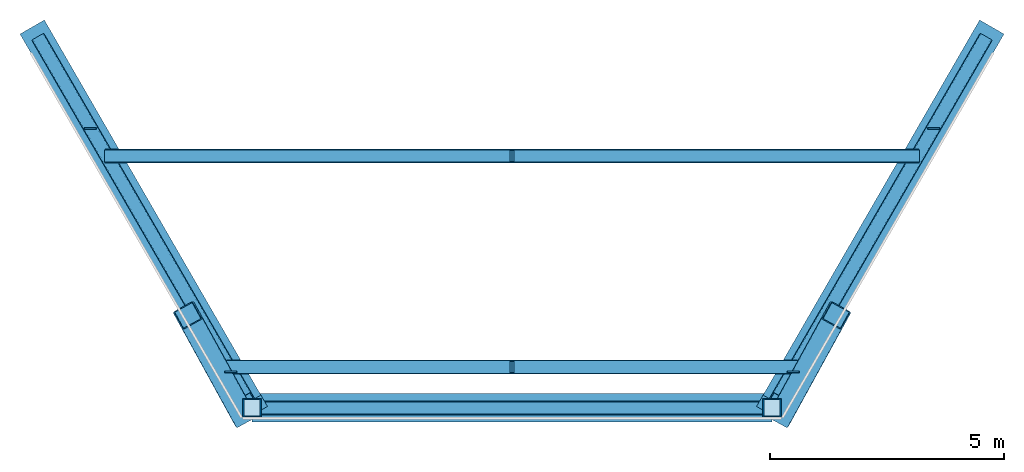
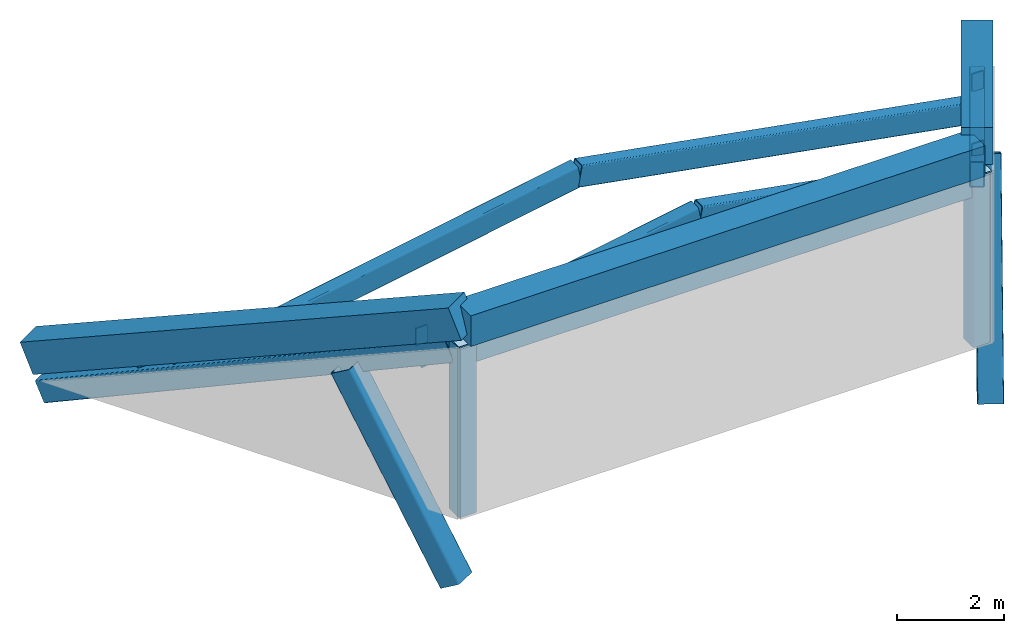
# One storey, part 1 of 2: 9 members, 6 plates, 3 beams, 2 columns.
"""IFC4 building model written with IfcOpenShell, lengths in metres."""

from ifc_helpers import new_model, si_unit, direction, frame, origin, origin_2d, place, context, subcontext, project, spatial, polyline, rectangle, hollow_rectangle, outline, extrude, material, layer, layer_set, material_profile, profile_set, type_object, element, save


model = new_model("IFC4")

# Units and contexts
model_context = context("Model", 3, precision=1e-05, world=origin(), true_north=direction((0.0, 1.0)))
body_context = subcontext(model_context, "Body", "Model", "MODEL_VIEW")
ifc_project = project(units=[si_unit("LENGTHUNIT", "METRE"), si_unit("AREAUNIT", "SQUARE_METRE"), si_unit("VOLUMEUNIT", "CUBIC_METRE"), si_unit("PLANEANGLEUNIT", "RADIAN"), si_unit("MASSUNIT", "GRAM", prefix="KILO")], contexts=[model_context])

# Site, building, storey
site_placement = place(None, origin())
site = spatial("IfcSite", under=ifc_project, at=site_placement, CompositionType="ELEMENT")
building_placement = place(site_placement, origin())
building = spatial("IfcBuilding", under=site, at=building_placement, Name="Aloe Facet Convention Tower", CompositionType="ELEMENT")
storey_placement = place(building_placement, frame((0.0, 0.0, 302.300048828125)))
storey = spatial("IfcBuildingStorey", under=building, at=storey_placement, Name="C5", CompositionType="ELEMENT", Elevation=302.300048828125)

# Columns
ifc_material_1 = material(Name="Steel S355, bronze oxide finish", Category="steel")
ifc_material_profile_1 = material_profile(ifc_material_1, hollow_rectangle(XDim=0.39990234375, YDim=0.39990234375, WallThickness=0.02490234375, InnerFilletRadius=0.02490234375, OuterFilletRadius=0.050048828125, at=origin_2d()), Name="SHS 400x400x25")
ifc_profile_set_1 = profile_set([ifc_material_profile_1], Name="Steel S355, bronze oxide finish")
column_type = type_object("IfcColumnType", Name="STW-CROWN FRAME POST", PredefinedType="COLUMN", material=ifc_profile_set_1)
for number, where, z_axis, x_axis, name in (
    (1, (74.45166015625, 109.180419921875, 0.0), (0.0, 0.0, 1.0), (1.0, 0.0, 0.0), "Crown frame post CF-P-WSW4-C5"),
    (2, (85.54833984375, 109.180419921875, 0.0), (0.0, 0.0, 1.0), (1.0, 0.0, 0.0), "Crown frame post CF-P-ESE2-C5"),
):
    element("IfcColumn", number, at=place(storey_placement, frame(where, z_axis=z_axis, x_axis=x_axis)), inside=storey, type_object=column_type, Name=name, PredefinedType="COLUMN", context=body_context, shape_type="SweptSolid", body=[
        extrude(hollow_rectangle(XDim=0.39990234375, YDim=0.39990234375, WallThickness=0.02490234375, InnerFilletRadius=0.02490234375, OuterFilletRadius=0.050048828125, at=origin_2d()), origin(), (0.0, 0.0, 1.0), 3.8759765625),
    ])

# Members
ifc_material_2 = material(Name="Steel S355, bronze oxide finish", Category="steel")
ifc_material_profile_2 = material_profile(ifc_material_2, hollow_rectangle(XDim=0.5, YDim=0.5, WallThickness=0.02490234375, InnerFilletRadius=0.02490234375, OuterFilletRadius=0.050048828125, at=origin_2d()), Name="SHS 500x500x25")
ifc_profile_set_2 = profile_set([ifc_material_profile_2], Name="Steel S355, bronze oxide finish")
member_type_1 = type_object("IfcMemberType", Name="STW-CROWN FRAME BRACE", PredefinedType="BRACE", material=ifc_profile_set_2)
for number, where, z_axis, x_axis, name in (
    (3, (74.235107421875, 109.055419921875, -1.449951171875), (-0.245644149327, 0.446800743543, 0.860248828811), (-0.876295616426, -0.4817737982, 0.0), "Crown frame brace CF-B-B08-N6"),
    (4, (85.764892578125, 109.055419921875, -1.449951171875), (0.245644149327, 0.446800743543, 0.860248828811), (-0.876295616426, 0.4817737982, 0.0), "Crown frame brace CF-B-B10-N5"),
):
    element("IfcMember", number, at=place(storey_placement, frame(where, z_axis=z_axis, x_axis=x_axis)), inside=storey, type_object=member_type_1, Name=name, PredefinedType="BRACE", context=body_context, shape_type="SweptSolid", body=[
        extrude(hollow_rectangle(XDim=0.5, YDim=0.5, WallThickness=0.02490234375, InnerFilletRadius=0.02490234375, OuterFilletRadius=0.050048828125, at=origin_2d()), origin(), (0.0, 0.0, 1.0), 4.692138671875),
    ])

# Beams
ifc_material_3 = material(Name="Steel S355, bronze oxide finish", Category="steel")
ifc_material_profile_3 = material_profile(ifc_material_3, hollow_rectangle(XDim=0.300048828125, YDim=0.5, WallThickness=0.02001953125, InnerFilletRadius=0.02001953125, OuterFilletRadius=0.0400390625, at=origin_2d()), Name="RHS 500x300x20")
ifc_profile_set_3 = profile_set([ifc_material_profile_3], Name="Steel S355, bronze oxide finish")
beam_type = type_object("IfcBeamType", Name="STW-CROWN FRAME CAP", PredefinedType="BEAM", material=ifc_profile_set_3)
beam_1_placement = place(storey_placement, frame((69.93017578125, 117.011962890625, -0.391357421875), z_axis=(0.455219068557, -0.78847662852, 0.41361843032), x_axis=(0.866029268111, 0.49999330673, 0.0)))
element("IfcBeam", 5, at=beam_1_placement, inside=storey, type_object=beam_type, Name="Crown frame cap CF-C-B08", PredefinedType="BEAM", context=body_context, shape_type="SweptSolid", body=[
    extrude(hollow_rectangle(XDim=0.300048828125, YDim=0.5, WallThickness=0.02001953125, InnerFilletRadius=0.02001953125, OuterFilletRadius=0.0400390625, at=origin_2d()), origin(), (0.0, 0.0, 1.0), 9.712646484375),
])
beam_2_placement = place(storey_placement, frame((74.651611328125, 109.180419921875, 3.6259765625), z_axis=(1.0, 0.0, 0.0), x_axis=(0.0, 1.0, 0.0)))
element("IfcBeam", 6, at=beam_2_placement, inside=storey, type_object=beam_type, Name="Crown frame cap CF-C-B09", PredefinedType="BEAM", context=body_context, shape_type="SweptSolid", body=[
    extrude(hollow_rectangle(XDim=0.300048828125, YDim=0.5, WallThickness=0.02001953125, InnerFilletRadius=0.02001953125, OuterFilletRadius=0.0400390625, at=origin_2d()), origin(), (0.0, 0.0, 1.0), 10.69677734375),
])
beam_3_placement = place(storey_placement, frame((85.6484375, 109.353759765625, 3.6259765625), z_axis=(0.455219068557, 0.78847662852, -0.41361843032), x_axis=(-0.866029268111, 0.49999330673, 0.0)))
element("IfcBeam", 7, at=beam_3_placement, inside=storey, type_object=beam_type, Name="Crown frame cap CF-C-B10", PredefinedType="BEAM", context=body_context, shape_type="SweptSolid", body=[
    extrude(hollow_rectangle(XDim=0.300048828125, YDim=0.5, WallThickness=0.02001953125, InnerFilletRadius=0.02001953125, OuterFilletRadius=0.0400390625, at=origin_2d()), origin(), (0.0, 0.0, 1.0), 9.712646484375),
])

# Members
ifc_material_4 = material(Name="Steel S355", Category="steel")
ifc_material_profile_4 = material_profile(ifc_material_4, hollow_rectangle(XDim=0.300048828125, YDim=0.5, WallThickness=0.02001953125, InnerFilletRadius=0.02001953125, OuterFilletRadius=0.0400390625, at=origin_2d()), Name="RHS 500x300x20")
ifc_profile_set_4 = profile_set([ifc_material_profile_4], Name="Steel S355")
member_type_2 = type_object("IfcMemberType", Name="STW-CROWN FRAME RAFTER", PredefinedType="RAFTER", material=ifc_profile_set_4)
for number, where, z_axis, x_axis, name in (
    (8, (80.0, 114.550048828125, 2.488037109375), (-0.984180029904, 0.0, -0.177171297727), (0.0, -1.0, 0.0), "Crown frame rafter CF-RF-W09"),
    (9, (80.0, 114.550048828125, 2.488037109375), (0.984180029904, 0.0, -0.177171297727), (0.0, 1.0, 0.0), "Crown frame rafter CF-RF-E10"),
):
    element("IfcMember", number, at=place(storey_placement, frame(where, z_axis=z_axis, x_axis=x_axis)), inside=storey, type_object=member_type_2, Name=name, PredefinedType="RAFTER", context=body_context, shape_type="SweptSolid", body=[
        extrude(hollow_rectangle(XDim=0.300048828125, YDim=0.5, WallThickness=0.02001953125, InnerFilletRadius=0.02001953125, OuterFilletRadius=0.0400390625, at=origin_2d()), origin(), (0.0, 0.0, 1.0), 8.787353515625),
    ])
for number, where, z_axis, x_axis, name in (
    (10, (80.0, 110.050048828125, 4.27880859375), (-0.984181662146, 0.0, -0.177162230443), (0.0, -1.0, 0.0), "Crown frame rafter CF-RF-W11"),
    (11, (80.0, 110.050048828125, 4.27880859375), (0.984181662146, 0.0, -0.177162230443), (0.0, 1.0, 0.0), "Crown frame rafter CF-RF-E12"),
):
    element("IfcMember", number, at=place(storey_placement, frame(where, z_axis=z_axis, x_axis=x_axis)), inside=storey, type_object=member_type_2, Name=name, PredefinedType="RAFTER", context=body_context, shape_type="SweptSolid", body=[
        extrude(hollow_rectangle(XDim=0.300048828125, YDim=0.5, WallThickness=0.02001953125, InnerFilletRadius=0.02001953125, OuterFilletRadius=0.0400390625, at=origin_2d()), origin(), (0.0, 0.0, 1.0), 6.1474609375),
    ])
ifc_material_5 = material(Name="Precast concrete C40/50", Category="concrete")
ifc_material_profile_5 = material_profile(ifc_material_5, rectangle(XDim=0.60009765625, YDim=0.699951171875, at=origin_2d()), Name="STW-CROWN STONE CAP")
ifc_profile_set_5 = profile_set([ifc_material_profile_5], Name="Precast concrete C40/50")
member_type_3 = type_object("IfcMemberType", Name="STW-CROWN STONE CAP", PredefinedType="MEMBER", material=ifc_profile_set_5)
member_1_placement = place(storey_placement, frame((69.830078125, 117.185302734375, 0.400634765625), z_axis=(0.458558565239, -0.794253472639, 0.398604394665), x_axis=(0.866027240882, 0.49999681804, 0.0)))
element("IfcMember", 12, at=member_1_placement, inside=storey, type_object=member_type_3, Name="Crown stone cap CF-SC-B08", PredefinedType="MEMBER", context=body_context, shape_type="SweptSolid", body=[
    extrude(rectangle(XDim=0.60009765625, YDim=0.699951171875, at=origin_2d()), origin(), (0.0, 0.0, 1.0), 10.07861328125),
])
member_2_placement = place(storey_placement, frame((74.45166015625, 109.180419921875, 4.256103515625), z_axis=(1.0, 0.0, 0.0), x_axis=(0.0, 1.0, 0.0)))
element("IfcMember", 13, at=member_2_placement, inside=storey, type_object=member_type_3, Name="Crown stone cap CF-SC-B09", PredefinedType="MEMBER", context=body_context, shape_type="SweptSolid", body=[
    extrude(rectangle(XDim=0.60009765625, YDim=0.699951171875, at=origin_2d()), origin(), (0.0, 0.0, 1.0), 11.0966796875),
])
member_3_placement = place(storey_placement, frame((85.54833984375, 109.180419921875, 4.41796875), z_axis=(0.458558565239, 0.794253472639, -0.398604394665), x_axis=(-0.866027240882, 0.49999681804, 0.0)))
element("IfcMember", 14, at=member_3_placement, inside=storey, type_object=member_type_3, Name="Crown stone cap CF-SC-B10", PredefinedType="MEMBER", context=body_context, shape_type="SweptSolid", body=[
    extrude(rectangle(XDim=0.60009765625, YDim=0.699951171875, at=origin_2d()), origin(), (0.0, 0.0, 1.0), 10.07861328125),
])

# Plates
ifc_material_6 = material(Name="Steel S355", Category="steel")
ifc_layer = layer(ifc_material_6, 0.030029296875)
ifc_layer_set = layer_set([ifc_layer], Name="STW-CROWN END PLATE")
plate_type = type_object("IfcPlateType", Name="STW-CROWN END PLATE", PredefinedType="SHEET", material=ifc_layer_set)
plate_1_placement = place(storey_placement, frame((0.0, 0.0, 3.8759765625)))
element("IfcPlate", 15, at=plate_1_placement, inside=storey, type_object=plate_type, Name="End plate CF-EP-WSW4", PredefinedType="SHEET", context=body_context, shape_type="SweptSolid", body=[
    extrude(outline(polyline([(74.251708984375, 108.98046875), (74.651611328125, 108.98046875), (74.651611328125, 109.380615234375), (74.251708984375, 109.380615234375), (74.251708984375, 108.98046875)])), origin(), (0.0, 0.0, 1.0), 0.030029296875),
])
plate_2_placement = place(storey_placement, frame((0.0, 0.0, 3.8759765625)))
element("IfcPlate", 16, at=plate_2_placement, inside=storey, type_object=plate_type, Name="End plate CF-EP-ESE2", PredefinedType="SHEET", context=body_context, shape_type="SweptSolid", body=[
    extrude(outline(polyline([(85.348388671875, 108.98046875), (85.748291015625, 108.98046875), (85.748291015625, 109.380615234375), (85.348388671875, 109.380615234375), (85.348388671875, 108.98046875)])), origin(), (0.0, 0.0, 1.0), 0.030029296875),
])
for number, where, z_axis, x_axis, name in (
    (17, (73.875, 109.962890625, 3.88330078125), (0.0, 1.0, 0.0), (1.0, 0.0, 0.0), "End plate CF-EP-W03S"),
    (18, (85.875, 109.962890625, 3.88330078125), (0.0, 1.0, 0.0), (1.0, 0.0, 0.0), "End plate CF-EP-E04S"),
):
    element("IfcPlate", number, at=place(storey_placement, frame(where, z_axis=z_axis, x_axis=x_axis)), inside=storey, type_object=plate_type, Name=name, PredefinedType="SHEET", context=body_context, shape_type="SweptSolid", body=[
        extrude(outline(polyline([(0.0, 0.0), (0.25, 0.0), (0.25, 0.39990234375), (0.0, 0.39990234375), (0.0, 0.0)])), origin(), (0.0, 0.0, -1.0), 0.030029296875),
    ])
for number, where, z_axis, x_axis, name in (
    (19, (70.875, 115.158935546875, 1.275634765625), (0.0, 1.0, 0.0), (1.0, 0.0, 0.0), "End plate CF-EP-W05S"),
    (20, (88.875, 115.158935546875, 1.275634765625), (0.0, 1.0, 0.0), (1.0, 0.0, 0.0), "End plate CF-EP-E06S"),
):
    element("IfcPlate", number, at=place(storey_placement, frame(where, z_axis=z_axis, x_axis=x_axis)), inside=storey, type_object=plate_type, Name=name, PredefinedType="SHEET", context=body_context, shape_type="SweptSolid", body=[
        extrude(outline(polyline([(0.0, 0.0), (0.25, 0.0), (0.25, 0.400146484375), (0.0, 0.400146484375), (0.0, 0.0)])), origin(), (0.0, 0.0, -1.0), 0.030029296875),
    ])

save(model, "model.ifc")
